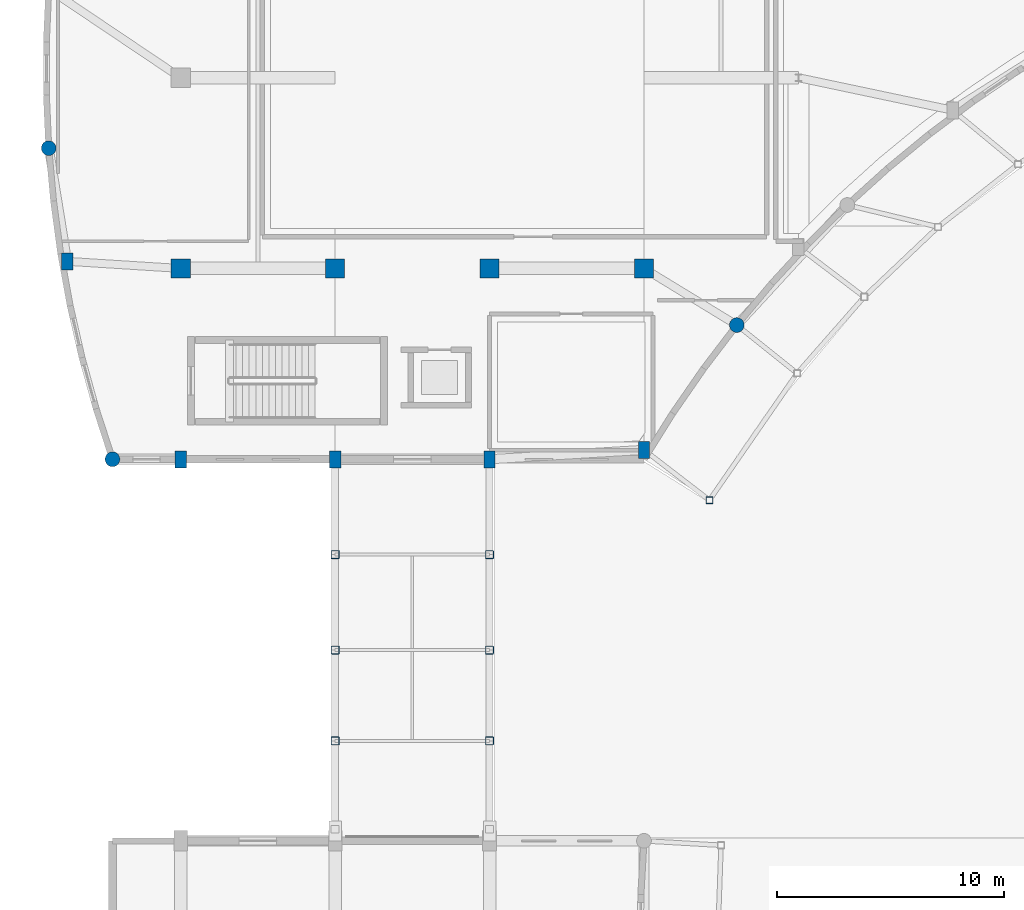
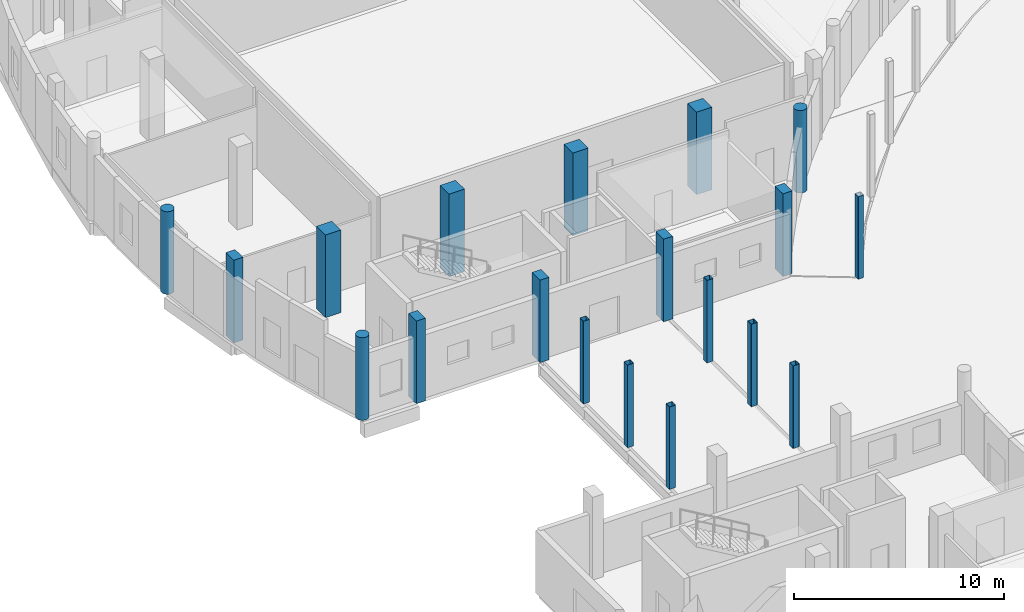
# One storey, part 8 of 97: 19 columns.
"""IFC4 building model written with IfcOpenShell, lengths in metres."""

from ifc_helpers import new_model, si_unit, direction, frame, origin, origin_2d, place, context, subcontext, project, spatial, rectangle, hollow_rectangle, circle, extrude, material, material_profile, profile_set, type_object, element, save


model = new_model("IFC4")

# Units and contexts
model_context = context("Model", 3, precision=1e-05, world=origin(), true_north=direction((0.0, 1.0)))
body_context = subcontext(model_context, "Body", "Model", "MODEL_VIEW")
ifc_project = project(units=[si_unit("LENGTHUNIT", "METRE"), si_unit("AREAUNIT", "SQUARE_METRE"), si_unit("VOLUMEUNIT", "CUBIC_METRE"), si_unit("PLANEANGLEUNIT", "RADIAN"), si_unit("MASSUNIT", "GRAM", prefix="KILO")], contexts=[model_context])

# Site, building, storey
site_placement = place(None, origin())
site = spatial("IfcSite", under=ifc_project, at=site_placement, CompositionType="ELEMENT")
building_placement = place(site_placement, origin())
building = spatial("IfcBuilding", under=site, at=building_placement, Name="Kisaragi Civic Commons", CompositionType="ELEMENT")
storey_placement = place(building_placement, origin())
storey = spatial("IfcBuildingStorey", under=building, at=storey_placement, Name="L00", CompositionType="ELEMENT", Elevation=0.0)

# Columns
ifc_material_1 = material(Name="Concrete Fc36", Category="concrete")
ifc_material_profile_1 = material_profile(ifc_material_1, rectangle(XDim=0.85009765625, YDim=0.85009765625, at=origin_2d()), Name="RC-850x850", Category="concrete")
ifc_profile_set_1 = profile_set([ifc_material_profile_1], Name="Concrete Fc36")
column_type_1 = type_object("IfcColumnType", Name="C-01", PredefinedType="COLUMN", material=ifc_profile_set_1)
for number, where, z_axis, x_axis, name in (
    (1, (6.800048828125, 87.60009765625, 0.0), (0.0, 0.0, 1.0), (1.0, 0.0, 0.0), "L00 column C-01 (6.8,87.6)"),
    (2, (13.60009765625, 87.60009765625, 0.0), (0.0, 0.0, 1.0), (1.0, 0.0, 0.0), "L00 column C-01 (13.6,87.6)"),
    (3, (20.39990234375, 87.60009765625, 0.0), (0.0, 0.0, 1.0), (1.0, 0.0, 0.0), "L00 column C-01 (20.4,87.6)"),
    (4, (27.199951171875, 87.60009765625, 0.0), (0.0, 0.0, 1.0), (1.0, 0.0, 0.0), "L00 column C-01 (27.2,87.6)"),
):
    element("IfcColumn", number, at=place(storey_placement, frame(where, z_axis=z_axis, x_axis=x_axis)), inside=storey, type_object=column_type_1, Name=name, PredefinedType="COLUMN", context=body_context, shape_type="SweptSolid", body=[
        extrude(rectangle(XDim=0.85009765625, YDim=0.85009765625, at=origin_2d()), origin(), (0.0, 0.0, 1.0), 4.800048828125),
    ])
ifc_material_2 = material(Name="Concrete Fc30", Category="concrete")
ifc_material_profile_2 = material_profile(ifc_material_2, rectangle(XDim=0.5, YDim=0.75, at=origin_2d()), Name="RC-500x750", Category="concrete")
ifc_profile_set_2 = profile_set([ifc_material_profile_2], Name="Concrete Fc30")
column_type_2 = type_object("IfcColumnType", Name="C-10", PredefinedType="COLUMN", material=ifc_profile_set_2)
for number, where, z_axis, x_axis, name in (
    (5, (1.800048828125, 87.916259765625, 0.0), (0.0, 0.0, 1.0), (1.0, 0.0, 0.0), "L00 column C-10 (1.8,87.9)"),
    (6, (6.800048828125, 79.199951171875, 0.0), (0.0, 0.0, 1.0), (1.0, 0.0, 0.0), "L00 column C-10 (6.8,79.2)"),
    (7, (13.60009765625, 79.199951171875, 0.0), (0.0, 0.0, 1.0), (1.0, 0.0, 0.0), "L00 column C-10 (13.6,79.2)"),
    (8, (20.39990234375, 79.199951171875, 0.0), (0.0, 0.0, 1.0), (1.0, 0.0, 0.0), "L00 column C-10 (20.4,79.2)"),
    (9, (27.199951171875, 79.614501953125, 0.0), (0.0, 0.0, 1.0), (1.0, 0.0, 0.0), "L00 column C-10 (27.2,79.6)"),
):
    element("IfcColumn", number, at=place(storey_placement, frame(where, z_axis=z_axis, x_axis=x_axis)), inside=storey, type_object=column_type_2, Name=name, PredefinedType="COLUMN", context=body_context, shape_type="SweptSolid", body=[
        extrude(rectangle(XDim=0.5, YDim=0.75, at=origin_2d()), origin(), (0.0, 0.0, 1.0), 4.800048828125),
    ])
ifc_material_profile_3 = material_profile(ifc_material_2, circle(Radius=0.324951171875, at=origin_2d()), Name="RC-D650", Category="concrete")
ifc_profile_set_3 = profile_set([ifc_material_profile_3], Name="Concrete Fc30")
column_type_3 = type_object("IfcColumnType", Name="C-12", PredefinedType="COLUMN", material=ifc_profile_set_3)
for number, where, z_axis, x_axis, name in (
    (10, (0.9912109375, 92.896484375, 0.0), (0.0, 0.0, 1.0), (1.0, 0.0, 0.0), "L00 column C-12 (1.0,92.9)"),
    (11, (3.800048828125, 79.199951171875, 0.0), (0.0, 0.0, 1.0), (1.0, 0.0, 0.0), "L00 column C-12 (3.8,79.2)"),
    (12, (31.2880859375, 85.107421875, 0.0), (0.0, 0.0, 1.0), (1.0, 0.0, 0.0), "L00 column C-12 (31.3,85.1)"),
):
    element("IfcColumn", number, at=place(storey_placement, frame(where, z_axis=z_axis, x_axis=x_axis)), inside=storey, type_object=column_type_3, Name=name, PredefinedType="COLUMN", context=body_context, shape_type="SweptSolid", body=[
        extrude(circle(Radius=0.324951171875, at=origin_2d()), origin(), (0.0, 0.0, 1.0), 4.800048828125),
    ])
ifc_material_3 = material(Name="Steel BCR295", Category="steel")
ifc_material_profile_4 = material_profile(ifc_material_3, hollow_rectangle(XDim=0.35009765625, YDim=0.35009765625, WallThickness=0.011962890625, InnerFilletRadius=0.011962890625, OuterFilletRadius=0.02392578125, at=origin_2d()), Name="BCR-350x350x12", Category="steel")
ifc_profile_set_4 = profile_set([ifc_material_profile_4], Name="Steel BCR295")
column_type_4 = type_object("IfcColumnType", Name="C-13", PredefinedType="COLUMN", material=ifc_profile_set_4)
for number, where, z_axis, x_axis, name in (
    (13, (13.60009765625, 66.800048828125, 0.0), (0.0, 0.0, 1.0), (1.0, 0.0, 0.0), "L00 column C-13 (13.6,66.8)"),
    (14, (13.60009765625, 70.800048828125, 0.0), (0.0, 0.0, 1.0), (1.0, 0.0, 0.0), "L00 column C-13 (13.6,70.8)"),
    (15, (13.60009765625, 75.0, 0.0), (0.0, 0.0, 1.0), (1.0, 0.0, 0.0), "L00 column C-13 (13.6,75.0)"),
    (16, (20.39990234375, 66.800048828125, 0.0), (0.0, 0.0, 1.0), (1.0, 0.0, 0.0), "L00 column C-13 (20.4,66.8)"),
    (17, (20.39990234375, 70.800048828125, 0.0), (0.0, 0.0, 1.0), (1.0, 0.0, 0.0), "L00 column C-13 (20.4,70.8)"),
    (18, (20.39990234375, 75.0, 0.0), (0.0, 0.0, 1.0), (1.0, 0.0, 0.0), "L00 column C-13 (20.4,75.0)"),
):
    element("IfcColumn", number, at=place(storey_placement, frame(where, z_axis=z_axis, x_axis=x_axis)), inside=storey, type_object=column_type_4, Name=name, PredefinedType="COLUMN", context=body_context, shape_type="SweptSolid", body=[
        extrude(hollow_rectangle(XDim=0.35009765625, YDim=0.35009765625, WallThickness=0.011962890625, InnerFilletRadius=0.011962890625, OuterFilletRadius=0.02392578125, at=origin_2d()), origin(), (0.0, 0.0, 1.0), 4.800048828125),
    ])
ifc_material_profile_5 = material_profile(ifc_material_3, hollow_rectangle(XDim=0.300048828125, YDim=0.300048828125, WallThickness=0.012939453125, InnerFilletRadius=0.012939453125, OuterFilletRadius=0.02587890625, at=origin_2d()), Name="BCR-300x300x13", Category="steel")
ifc_profile_set_5 = profile_set([ifc_material_profile_5], Name="Steel BCR295")
column_type_5 = type_object("IfcColumnType", Name="C-15", PredefinedType="COLUMN", material=ifc_profile_set_5)
column_placement = place(storey_placement, frame((30.08203125, 77.39599609375, 0.0), z_axis=(0.0, 0.0, 1.0), x_axis=(1.0, 0.0, 0.0)))
element("IfcColumn", 19, at=column_placement, inside=storey, type_object=column_type_5, Name="L00 column C-15 (30.1,77.4)", PredefinedType="COLUMN", context=body_context, shape_type="SweptSolid", body=[
    extrude(hollow_rectangle(XDim=0.300048828125, YDim=0.300048828125, WallThickness=0.012939453125, InnerFilletRadius=0.012939453125, OuterFilletRadius=0.02587890625, at=origin_2d()), origin(), (0.0, 0.0, 1.0), 4.800048828125),
])

save(model, "model.ifc")
